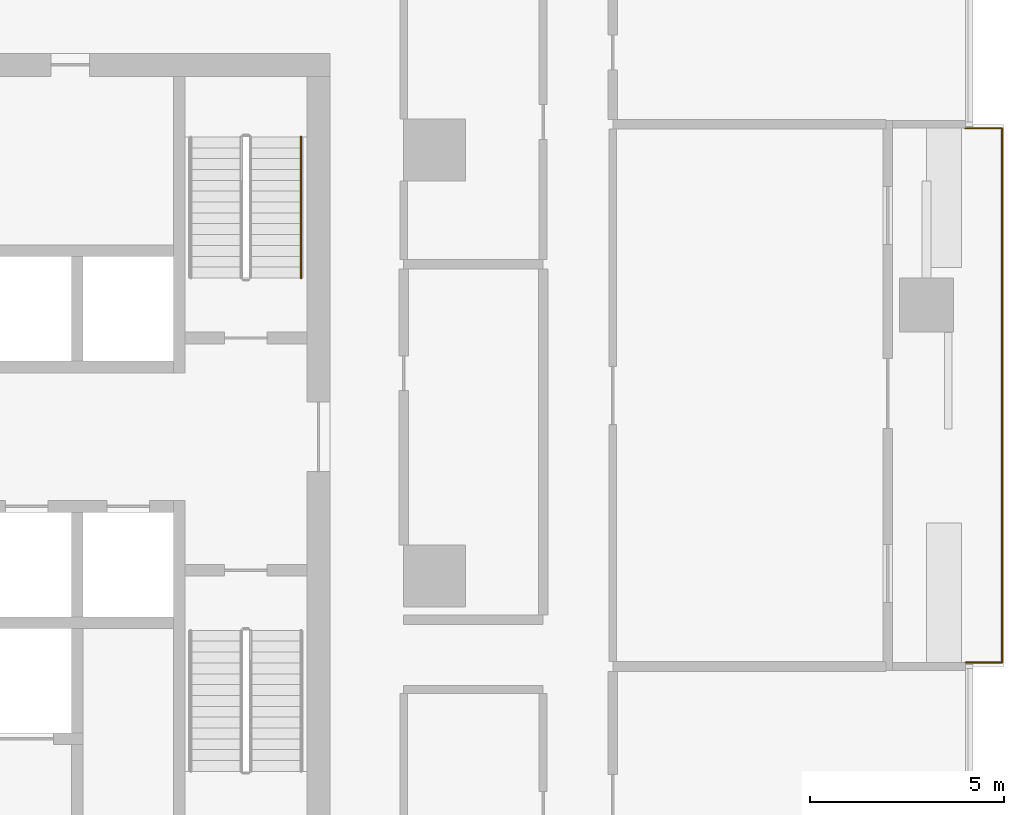
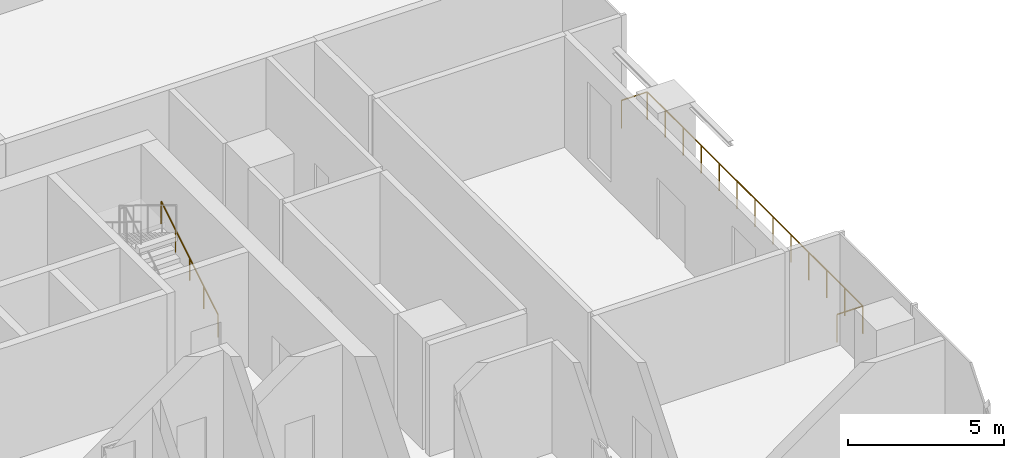
# One storey, part 15 of 15: 2 railings.
"""IFC4 building model written with IfcOpenShell, lengths in metres."""

from ifc_helpers import new_model, si_unit, direction, frame, origin, origin_2d, place, context, subcontext, project, spatial, circle, extrude, material, type_object, element, save


model = new_model("IFC4")

# Units and contexts
model_context = context("Model", 3, precision=1e-05, world=origin(), true_north=direction((0.0, 1.0)))
body_context = subcontext(model_context, "Body", "Model", "MODEL_VIEW")
ifc_project = project(units=[si_unit("LENGTHUNIT", "METRE"), si_unit("AREAUNIT", "SQUARE_METRE"), si_unit("VOLUMEUNIT", "CUBIC_METRE"), si_unit("PLANEANGLEUNIT", "RADIAN"), si_unit("MASSUNIT", "GRAM", prefix="KILO")], contexts=[model_context])

# Site, building, storey
site_placement = place(None, origin())
site = spatial("IfcSite", under=ifc_project, at=site_placement, CompositionType="ELEMENT")
building_placement = place(site_placement, origin())
building = spatial("IfcBuilding", under=site, at=building_placement, Name="Mopane Tessera Tower", CompositionType="ELEMENT")
storey_placement = place(building_placement, frame((0.0, 0.0, 64.60009765625)))
storey = spatial("IfcBuildingStorey", under=building, at=storey_placement, Name="L12", CompositionType="ELEMENT", Elevation=64.60009765625)

# Railings
ifc_material_1 = material(Name="Powder-coated steel balustrade", Category="steel")
railing_type_1 = type_object("IfcRailingType", Name="Escape stair handrail 900 mm", PredefinedType="HANDRAIL", material=ifc_material_1)
railing_1_placement = place(storey_placement, frame((13.64990234375, 7.699951171875, 0.17138671875)))
element("IfcRailing", 1, at=railing_1_placement, inside=storey, type_object=railing_type_1, Name="L12 ST4 stair handrail 1", PredefinedType="HANDRAIL", context=body_context, shape_type="SweptSolid", body=[
    extrude(circle(Radius=0.02392578125, at=origin_2d()), frame((0.0, 0.0, 0.8759765625), z_axis=(0.0, 0.852865859571, 0.52213008492), x_axis=(-1.0, 0.0, 0.0)), (0.0, 0.0, 1.0), 4.26806640625),
    extrude(circle(Radius=0.02099609375, at=origin_2d()), origin(), (0.0, 0.0, 1.0), 0.851806640625),
    extrude(circle(Radius=0.02099609375, at=origin_2d()), frame((0.0, 0.91015625, 0.55712890625)), (0.0, 0.0, 1.0), 0.851806640625),
    extrude(circle(Radius=0.02099609375, at=origin_2d()), frame((0.0, 1.820068359375, 1.1142578125)), (0.0, 0.0, 1.0), 0.851806640625),
    extrude(circle(Radius=0.02099609375, at=origin_2d()), frame((0.0, 2.72998046875, 1.67138671875)), (0.0, 0.0, 1.0), 0.851806640625),
    extrude(circle(Radius=0.02099609375, at=origin_2d()), frame((0.0, 3.64013671875, 2.228515625)), (0.0, 0.0, 1.0), 0.851806640625),
])
ifc_material_2 = material(Name="Stainless steel S316", Category="steel")
railing_type_2 = type_object("IfcRailingType", Name="Terrace guard 1100", PredefinedType="GUARDRAIL", material=ifc_material_2)
railing_2_placement = place(storey_placement, frame((30.800048828125, -2.2333984375, 0.0)))
element("IfcRailing", 2, at=railing_2_placement, inside=storey, type_object=railing_type_2, Name="e:nw:L12:N1:guard", PredefinedType="GUARDRAIL", context=body_context, shape_type="SweptSolid", body=[
    extrude(circle(Radius=0.02392578125, at=origin_2d()), frame((0.0, 0.0, 1.076171875), z_axis=(1.0, 0.0, 0.0), x_axis=(0.0, 1.0, 0.0)), (0.0, 0.0, 1.0), 0.949951171875),
    extrude(circle(Radius=0.02392578125, at=origin_2d()), frame((0.949951171875, 0.0, 1.076171875), z_axis=(0.0, 1.0, 0.0), x_axis=(-1.0, 0.0, 0.0)), (0.0, 0.0, 1.0), 13.800048828125),
    extrude(circle(Radius=0.02392578125, at=origin_2d()), frame((0.949951171875, 13.800048828125, 1.076171875), z_axis=(-1.0, 0.0, 0.0), x_axis=(0.0, -1.0, 0.0)), (0.0, 0.0, 1.0), 0.949951171875),
    extrude(circle(Radius=0.02099609375, at=origin_2d()), origin(), (0.0, 0.0, 1.0), 1.052001953125),
    extrude(circle(Radius=0.02099609375, at=origin_2d()), frame((0.949951171875, 0.0, 0.0)), (0.0, 0.0, 1.0), 1.052001953125),
    extrude(circle(Radius=0.02099609375, at=origin_2d()), frame((0.949951171875, 1.14990234375, 0.0)), (0.0, 0.0, 1.0), 1.052001953125),
    extrude(circle(Radius=0.02099609375, at=origin_2d()), frame((0.949951171875, 2.300048828125, 0.0)), (0.0, 0.0, 1.0), 1.052001953125),
    extrude(circle(Radius=0.02099609375, at=origin_2d()), frame((0.949951171875, 3.449951171875, 0.0)), (0.0, 0.0, 1.0), 1.052001953125),
    extrude(circle(Radius=0.02099609375, at=origin_2d()), frame((0.949951171875, 4.60009765625, 0.0)), (0.0, 0.0, 1.0), 1.052001953125),
    extrude(circle(Radius=0.02099609375, at=origin_2d()), frame((0.949951171875, 5.75, 0.0)), (0.0, 0.0, 1.0), 1.052001953125),
    extrude(circle(Radius=0.02099609375, at=origin_2d()), frame((0.949951171875, 6.89990234375, 0.0)), (0.0, 0.0, 1.0), 1.052001953125),
    extrude(circle(Radius=0.02099609375, at=origin_2d()), frame((0.949951171875, 8.050048828125, 0.0)), (0.0, 0.0, 1.0), 1.052001953125),
    extrude(circle(Radius=0.02099609375, at=origin_2d()), frame((0.949951171875, 9.199951171875, 0.0)), (0.0, 0.0, 1.0), 1.052001953125),
    extrude(circle(Radius=0.02099609375, at=origin_2d()), frame((0.949951171875, 10.35009765625, 0.0)), (0.0, 0.0, 1.0), 1.052001953125),
    extrude(circle(Radius=0.02099609375, at=origin_2d()), frame((0.949951171875, 11.5, 0.0)), (0.0, 0.0, 1.0), 1.052001953125),
    extrude(circle(Radius=0.02099609375, at=origin_2d()), frame((0.949951171875, 12.650146484375, 0.0)), (0.0, 0.0, 1.0), 1.052001953125),
    extrude(circle(Radius=0.02099609375, at=origin_2d()), frame((0.949951171875, 13.800048828125, 0.0)), (0.0, 0.0, 1.0), 1.052001953125),
    extrude(circle(Radius=0.02099609375, at=origin_2d()), frame((0.0, 13.800048828125, 0.0)), (0.0, 0.0, 1.0), 1.052001953125),
])

save(model, "model.ifc")
